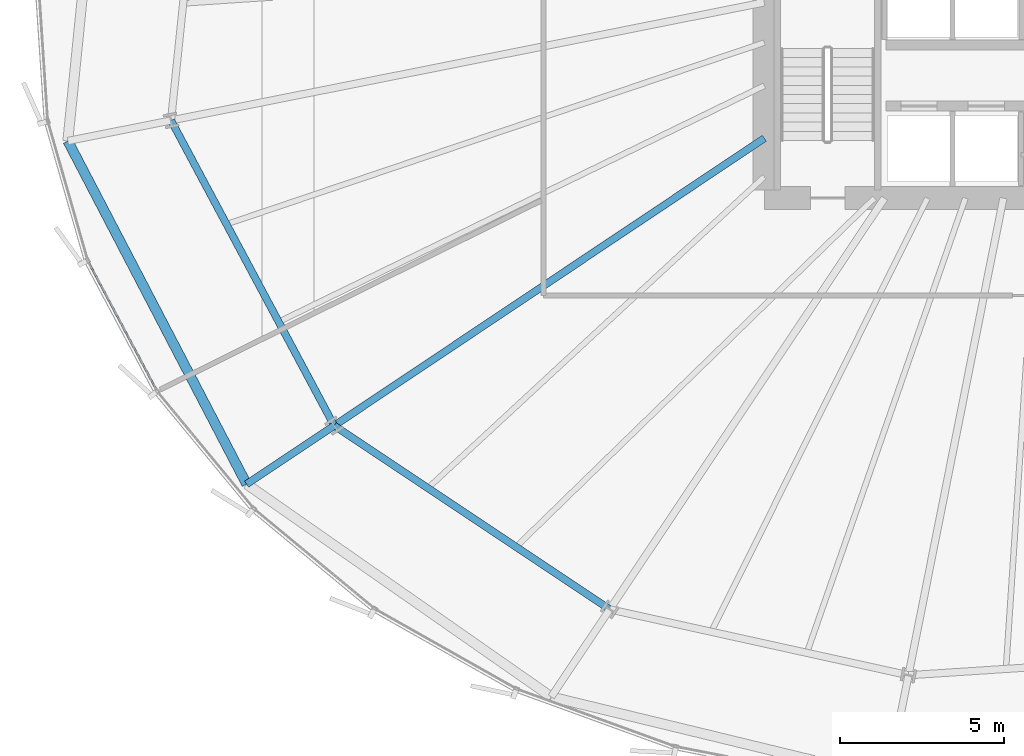
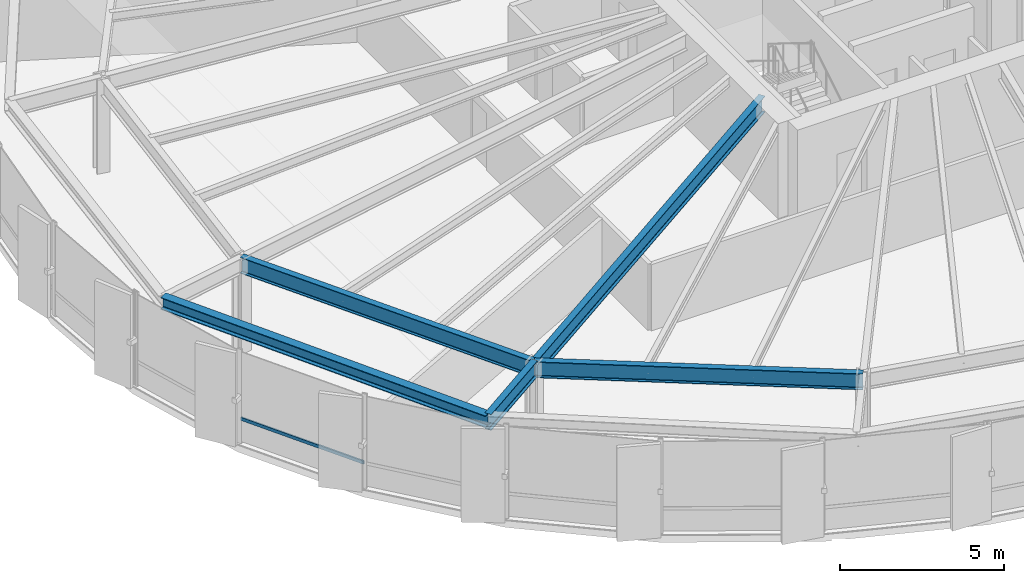
# One storey, part 3 of 35: 5 beams, 1 member, 1 element without a shape of its own.
"""IFC4 building model written with IfcOpenShell, lengths in metres."""

from ifc_helpers import new_model, si_unit, direction, frame, origin, origin_2d, place, context, subcontext, project, spatial, hollow_rectangle, i_section, extrude, source, transform, mapped, material, layer, layer_set, material_profile, profile_set, type_object, element, aggregate, save


model = new_model("IFC4")

# Units and contexts
model_context = context("Model", 3, precision=1e-05, world=origin(), true_north=direction((0.0, 1.0)))
body_context = subcontext(model_context, "Body", "Model", "MODEL_VIEW")
ifc_project = project(units=[si_unit("LENGTHUNIT", "METRE"), si_unit("AREAUNIT", "SQUARE_METRE"), si_unit("VOLUMEUNIT", "CUBIC_METRE"), si_unit("PLANEANGLEUNIT", "RADIAN"), si_unit("MASSUNIT", "GRAM", prefix="KILO"), si_unit("THERMODYNAMICTEMPERATUREUNIT", "KELVIN")], contexts=[model_context])

# Site, building, storey
site_placement = place(None, origin())
site = spatial("IfcSite", under=ifc_project, at=site_placement, CompositionType="ELEMENT")
building_placement = place(site_placement, origin())
building = spatial("IfcBuilding", under=site, at=building_placement, Name="Kethvar Cultural Tower", CompositionType="ELEMENT")
storey_placement = place(building_placement, frame((0.0, 0.0, 71.39990234375)))
storey = spatial("IfcBuildingStorey", under=building, at=storey_placement, Name="L17", CompositionType="ELEMENT", Elevation=71.39990234375)

# Beams
ifc_material_1 = material(Name="Steel S355J2", Category="steel")
ifc_material_profile_1 = material_profile(ifc_material_1, i_section(OverallWidth=0.219970703125, OverallDepth=0.60009765625, WebThickness=0.011962890625, FlangeThickness=0.01904296875, FilletRadius=0.02392578125, at=origin_2d()), Name="Steel S355J2 — IPE600")
ifc_profile_set_1 = profile_set([ifc_material_profile_1], Name="Steel S355J2 — IPE600")
beam_type_1 = type_object("IfcBeamType", Name="BM-IPE600", PredefinedType="BEAM", material=ifc_profile_set_1)
shared_shape_1 = source(origin(), body_context, "Body", "SweptSolid", [
    extrude(i_section(OverallWidth=0.219970703125, OverallDepth=0.60009765625, WebThickness=0.011962890625, FlangeThickness=0.01904296875, FilletRadius=0.02392578125, at=origin_2d()), origin(), (0.0, 0.0, 1.0), 3.2001953125),
])
beam_1_placement = place(storey_placement, frame((24.9248046875, 13.183349609375, 3.238037109375), z_axis=(-0.831486491686, -0.555544970406, 0.0), x_axis=(0.555544970406, -0.831486491686, 0.0)))
element("IfcBeam", 1, at=beam_1_placement, inside=storey, type_object=beam_type_1, Name="L17 Perimeter Cantilever Beam RC-10", PredefinedType="BEAM", context=body_context, shape_type="MappedRepresentation", body=[
    mapped(shared_shape_1, transform((0.0, 0.0, 0.0), scale=1.0)),
])
shared_shape_2 = source(origin(), body_context, "Body", "SweptSolid", [
    extrude(i_section(OverallWidth=0.219970703125, OverallDepth=0.60009765625, WebThickness=0.011962890625, FlangeThickness=0.01904296875, FilletRadius=0.02392578125, at=origin_2d()), origin(), (0.0, 0.0, 1.0), 15.725341796875),
])
beam_2_placement = place(storey_placement, frame((38.0, 21.919921875, 3.238037109375), z_axis=(-0.831469433959, -0.555570499929, 0.0), x_axis=(0.555570499929, -0.831469433959, 0.0)))
element("IfcBeam", 2, at=beam_2_placement, inside=storey, type_object=beam_type_1, Name="L17 Primary Radial Beam RB-10", PredefinedType="BEAM", context=body_context, shape_type="MappedRepresentation", body=[
    mapped(shared_shape_2, transform((0.0, 0.0, 0.0), scale=1.0)),
])
shared_shape_3 = source(origin(), body_context, "Body", "SweptSolid", [
    extrude(i_section(OverallWidth=0.219970703125, OverallDepth=0.60009765625, WebThickness=0.011962890625, FlangeThickness=0.01904296875, FilletRadius=0.02392578125, at=origin_2d()), origin(), (0.0, 0.0, 1.0), 10.52099609375),
])
beam_3_placement = place(storey_placement, frame((19.9658203125, 22.46240234375, 3.238037109375), z_axis=(0.471339616984, -0.881951793162, 0.0), x_axis=(0.881951793162, 0.471339616984, 0.0)))
element("IfcBeam", 3, at=beam_3_placement, inside=storey, type_object=beam_type_1, Name="L17 Column Ring Tie Beam CR-09", PredefinedType="BEAM", context=body_context, shape_type="MappedRepresentation", body=[
    mapped(shared_shape_3, transform((0.0, 0.0, 0.0), scale=1.0)),
])
shared_shape_4 = source(origin(), body_context, "Body", "SweptSolid", [
    extrude(i_section(OverallWidth=0.219970703125, OverallDepth=0.60009765625, WebThickness=0.011962890625, FlangeThickness=0.01904296875, FilletRadius=0.02392578125, at=origin_2d()), origin(), (0.0, 0.0, 1.0), 10.06787109375),
])
beam_4_placement = place(storey_placement, frame((24.9248046875, 13.183349609375, 3.238037109375), z_axis=(0.832065216665, -0.554677812083, 0.0), x_axis=(0.554677812083, 0.832065216665, 0.0)))
element("IfcBeam", 4, at=beam_4_placement, inside=storey, type_object=beam_type_1, Name="L17 Column Ring Tie Beam CR-10", PredefinedType="BEAM", context=body_context, shape_type="MappedRepresentation", body=[
    mapped(shared_shape_4, transform((0.0, 0.0, 0.0), scale=1.0)),
])
ifc_material_profile_2 = material_profile(ifc_material_1, i_section(OverallWidth=0.300048828125, OverallDepth=0.449951171875, WebThickness=0.013916015625, FlangeThickness=0.02587890625, FilletRadius=0.027099609375, at=origin_2d()), Name="Steel S355J2 — HEB450")
ifc_profile_set_2 = profile_set([ifc_material_profile_2], Name="Steel S355J2 — HEB450")
beam_type_2 = type_object("IfcBeamType", Name="BM-SP450", PredefinedType="SPANDREL", material=ifc_profile_set_2)
shared_shape_5 = source(origin(), body_context, "Body", "SweptSolid", [
    extrude(i_section(OverallWidth=0.300048828125, OverallDepth=0.449951171875, WebThickness=0.013916015625, FlangeThickness=0.02587890625, FilletRadius=0.027099609375, at=origin_2d()), origin(), (0.0, 0.0, 1.0), 11.76416015625),
])
beam_5_placement = place(storey_placement, frame((16.827392578125, 21.838134765625, 3.31298828125), z_axis=(0.462126222064, -0.886814160285, 0.0), x_axis=(0.886814160285, 0.462126222064, 0.0)))
element("IfcBeam", 5, at=beam_5_placement, inside=storey, type_object=beam_type_2, Name="L17 Perimeter Spandrel Beam SP-09", PredefinedType="SPANDREL", context=body_context, shape_type="MappedRepresentation", body=[
    mapped(shared_shape_5, transform((0.0, 0.0, 0.0), scale=1.0)),
])

# Curtain wall, member
ifc_material_2 = material(Name="Aluminium 6063-T6", Category="aluminium")
ifc_layer = layer(ifc_material_2, 0.179931640625, Name="Aluminium 6063-T6", Category="aluminium")
ifc_layer_set = layer_set([ifc_layer], Name="Aluminium 6063-T6 (180 mm)")
curtain_wall_type = type_object("IfcCurtainWallType", Name="CW-SYS-02-Z1", PredefinedType="NOTDEFINED", material=ifc_layer_set)
curtain_wall_placement = place(storey_placement, origin())
curtain_wall = element("IfcCurtainWall", 6, at=curtain_wall_placement, inside=storey, type_object=curtain_wall_type, Name="L17 Curtain Wall Run 04", PredefinedType="NOTDEFINED")
ifc_material_profile_3 = material_profile(ifc_material_2, hollow_rectangle(XDim=0.054931640625, YDim=0.1201171875, WallThickness=0.00390625, at=origin_2d()), Name="Aluminium 6063-T6 — RHS120x55x4")
ifc_profile_set_3 = profile_set([ifc_material_profile_3], Name="Aluminium 6063-T6 — RHS120x55x4")
member_type = type_object("IfcMemberType", Name="CW-SYS-02-Z1-TRN", PredefinedType="USERDEFINED", material=ifc_profile_set_3)
shared_shape_6 = source(origin(), body_context, "Body", "SweptSolid", [
    extrude(hollow_rectangle(XDim=0.054931640625, YDim=0.1201171875, WallThickness=0.00390625, at=origin_2d()), origin(), (0.0, 0.0, 1.0), 4.432861328125),
])
member_placement = place(storey_placement, frame((17.4501953125, 18.166015625, 0.9501953125), z_axis=(0.469455864964, -0.88295593936, 0.0), x_axis=(0.88295593936, 0.469455864964, 0.0)))
member = element("IfcMember", 7, at=member_placement, type_object=member_type, Name="CW-L17-R04 Transom 2", ObjectType="TRANSOM", PredefinedType="USERDEFINED", context=body_context, shape_type="MappedRepresentation", body=[
    mapped(shared_shape_6, transform((0.0, 0.0, 0.0), scale=1.0)),
])
aggregate(curtain_wall, [member])

save(model, "model.ifc")
